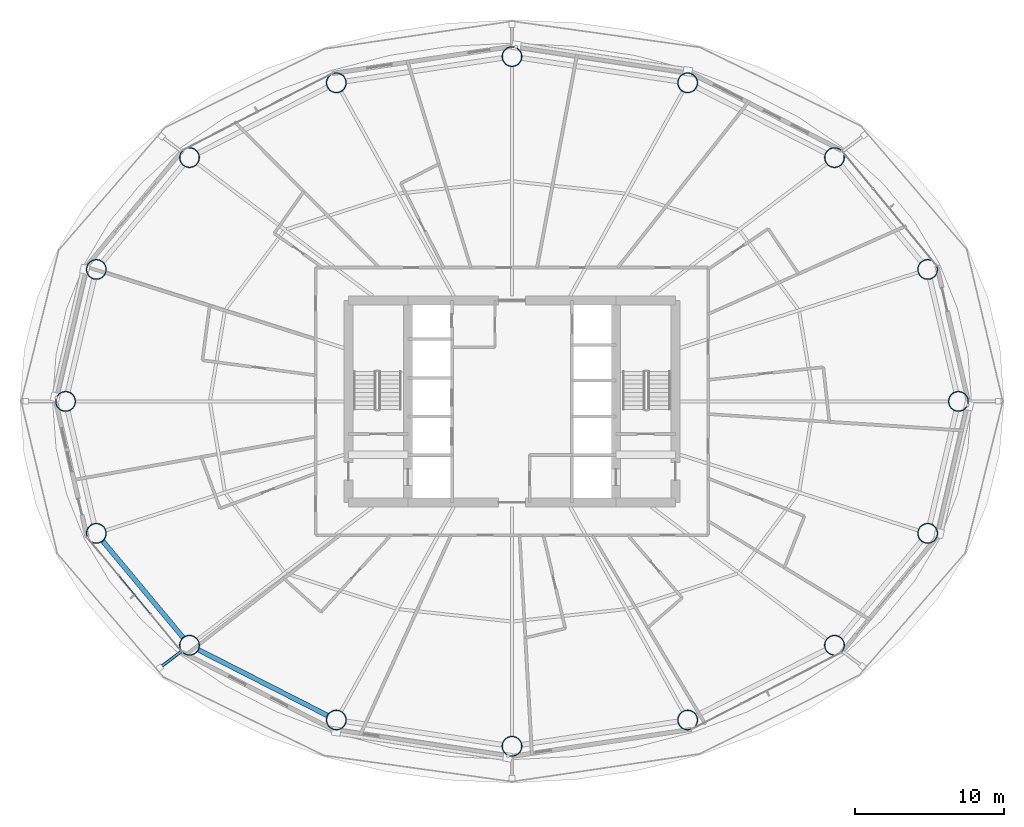
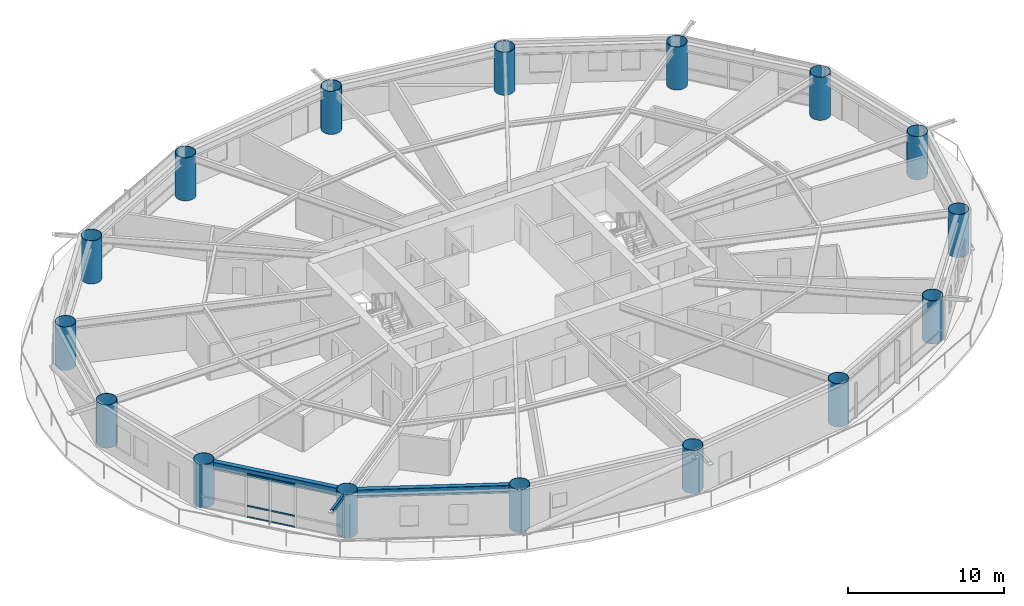
# One storey, part 1 of 26: 16 columns, 4 members, 2 beams, 1 element without a shape of its own.
"""IFC4 building model written with IfcOpenShell, lengths in metres."""

from ifc_helpers import new_model, si_unit, direction, frame, origin, origin_2d, place, context, subcontext, project, spatial, hollow_rectangle, hollow_circle, i_section, extrude, material, layer, layer_set, material_profile, profile_set, type_object, element, aggregate, save


model = new_model("IFC4")

# Units and contexts
model_context = context("Model", 3, precision=1e-05, world=origin(), true_north=direction((0.0, 1.0)))
body_context = subcontext(model_context, "Body", "Model", "MODEL_VIEW")
ifc_project = project(units=[si_unit("LENGTHUNIT", "METRE"), si_unit("AREAUNIT", "SQUARE_METRE"), si_unit("VOLUMEUNIT", "CUBIC_METRE"), si_unit("PLANEANGLEUNIT", "RADIAN"), si_unit("MASSUNIT", "GRAM", prefix="KILO")], contexts=[model_context])

# Site, building, storey
site_placement = place(None, origin())
site = spatial("IfcSite", under=ifc_project, at=site_placement, CompositionType="ELEMENT")
building_placement = place(site_placement, origin())
building = spatial("IfcBuilding", under=site, at=building_placement, Name="Sarneth Arch Tower", CompositionType="ELEMENT")
storey_placement = place(building_placement, frame((0.0, 0.0, 53.39990234375)))
storey = spatial("IfcBuildingStorey", under=building, at=storey_placement, Name="L12", CompositionType="ELEMENT", Elevation=53.39990234375)

# Columns
ifc_material_1 = material(Name="Steel S355", Category="steel")
ifc_material_profile_1 = material_profile(ifc_material_1, hollow_circle(Radius=0.675048828125, WallThickness=0.035888671875, at=origin_2d()), Name="CHS1350x36")
ifc_profile_set_1 = profile_set([ifc_material_profile_1], Name="Steel S355")
column_type = type_object("IfcColumnType", Name="COL-MEGA-1350", PredefinedType="COLUMN", material=ifc_profile_set_1)
for number, where, z_axis, x_axis, name in (
    (1, (78.034912109375, 42.0, 0.0), (0.0, 0.0, 1.0), (1.0, 0.0, 0.0), "L12 Perimeter mega-column M01"),
    (2, (75.965576171875, 50.878173828125, 0.0), (0.0, 0.0, 1.0), (1.0, 0.0, 0.0), "L12 Perimeter mega-column M02"),
    (3, (69.696533203125, 58.40478515625, 0.0), (0.0, 0.0, 1.0), (1.0, 0.0, 0.0), "L12 Perimeter mega-column M03"),
    (4, (59.81787109375, 63.43408203125, 0.0), (0.0, 0.0, 1.0), (1.0, 0.0, 0.0), "L12 Perimeter mega-column M04"),
    (5, (48.0, 65.199951171875, 0.0), (0.0, 0.0, 1.0), (1.0, 0.0, 0.0), "L12 Perimeter mega-column M05"),
    (6, (36.18212890625, 63.43408203125, 0.0), (0.0, 0.0, 1.0), (1.0, 0.0, 0.0), "L12 Perimeter mega-column M06"),
    (7, (26.303466796875, 58.40478515625, 0.0), (0.0, 0.0, 1.0), (1.0, 0.0, 0.0), "L12 Perimeter mega-column M07"),
    (8, (20.034423828125, 50.878173828125, 0.0), (0.0, 0.0, 1.0), (1.0, 0.0, 0.0), "L12 Perimeter mega-column M08"),
    (9, (17.965087890625, 42.0, 0.0), (0.0, 0.0, 1.0), (1.0, 0.0, 0.0), "L12 Perimeter mega-column M09"),
    (10, (20.034423828125, 33.121826171875, 0.0), (0.0, 0.0, 1.0), (1.0, 0.0, 0.0), "L12 Perimeter mega-column M10"),
    (11, (26.303466796875, 25.59521484375, 0.0), (0.0, 0.0, 1.0), (1.0, 0.0, 0.0), "L12 Perimeter mega-column M11"),
    (12, (36.18212890625, 20.56591796875, 0.0), (0.0, 0.0, 1.0), (1.0, 0.0, 0.0), "L12 Perimeter mega-column M12"),
    (13, (48.0, 18.800048828125, 0.0), (0.0, 0.0, 1.0), (1.0, 0.0, 0.0), "L12 Perimeter mega-column M13"),
    (14, (59.81787109375, 20.56591796875, 0.0), (0.0, 0.0, 1.0), (1.0, 0.0, 0.0), "L12 Perimeter mega-column M14"),
    (15, (69.696533203125, 25.59521484375, 0.0), (0.0, 0.0, 1.0), (1.0, 0.0, 0.0), "L12 Perimeter mega-column M15"),
    (16, (75.965576171875, 33.121826171875, 0.0), (0.0, 0.0, 1.0), (1.0, 0.0, 0.0), "L12 Perimeter mega-column M16"),
):
    element("IfcColumn", number, at=place(storey_placement, frame(where, z_axis=z_axis, x_axis=x_axis)), inside=storey, type_object=column_type, Name=name, PredefinedType="COLUMN", context=body_context, shape_type="SweptSolid", body=[
        extrude(hollow_circle(Radius=0.675048828125, WallThickness=0.035888671875, at=origin_2d()), origin(), (0.0, 0.0, 1.0), 3.380126953125),
    ])

# Beams
ifc_material_2 = material(Name="Steel S355", Category="steel")
ifc_material_profile_2 = material_profile(ifc_material_2, i_section(OverallWidth=0.326904296875, OverallDepth=0.6220703125, WebThickness=0.015380859375, FlangeThickness=0.0244140625, FilletRadius=0.01904296875, at=origin_2d()), Name="W610x195")
ifc_profile_set_2 = profile_set([ifc_material_profile_2], Name="Steel S355")
beam_type = type_object("IfcBeamType", Name="BM-SPAN-610A", PredefinedType="SPANDREL", material=ifc_profile_set_2)
beam_1_placement = place(storey_placement, frame((20.466552734375, 32.60302734375, 3.069091796875), z_axis=(0.639979646835, -0.768391860731, 0.0), x_axis=(0.768391860731, 0.639979646835, 0.0)))
element("IfcBeam", 17, at=beam_1_placement, inside=storey, type_object=beam_type, Name="L12 Perimeter spandrel beam 10", PredefinedType="SPANDREL", context=body_context, shape_type="SweptSolid", body=[
    extrude(i_section(OverallWidth=0.326904296875, OverallDepth=0.6220703125, WebThickness=0.015380859375, FlangeThickness=0.0244140625, FilletRadius=0.01904296875, at=origin_2d()), origin(), (0.0, 0.0, 1.0), 8.4453125),
])
beam_2_placement = place(storey_placement, frame((26.90478515625, 25.288818359375, 3.069091796875), z_axis=(0.8911738076, -0.453662037919, 0.0), x_axis=(0.453662037919, 0.8911738076, 0.0)))
element("IfcBeam", 18, at=beam_2_placement, inside=storey, type_object=beam_type, Name="L12 Perimeter spandrel beam 11", PredefinedType="SPANDREL", context=body_context, shape_type="SweptSolid", body=[
    extrude(i_section(OverallWidth=0.326904296875, OverallDepth=0.6220703125, WebThickness=0.015380859375, FlangeThickness=0.0244140625, FilletRadius=0.01904296875, at=origin_2d()), origin(), (0.0, 0.0, 1.0), 9.735107421875),
])

# Curtain wall, members
ifc_material_3 = material(Name="Anodised aluminium Type AA25 and solar-control low-e laminated IGU", Category="aluminium")
ifc_layer = layer(ifc_material_3, 0.159912109375)
ifc_layer_set = layer_set([ifc_layer], Name="Anodised aluminium Type AA25 and solar-control low-e laminated IGU")
curtain_wall_type = type_object("IfcCurtainWallType", Name="CW-HOTEL-LOW", PredefinedType="NOTDEFINED", material=ifc_layer_set)
curtain_wall_placement = place(storey_placement, origin())
curtain_wall = element("IfcCurtainWall", 19, at=curtain_wall_placement, inside=storey, type_object=curtain_wall_type, Name="L12 Unitised curtain wall facet 10", PredefinedType="NOTDEFINED")
ifc_material_4 = material(Name="Anodised Aluminium 6063-T6", Category="aluminium")
ifc_material_profile_3 = material_profile(ifc_material_4, hollow_rectangle(XDim=0.06005859375, YDim=0.1201171875, WallThickness=0.00390625, at=origin_2d()), Name="AL-TRAN-120x60x4")
ifc_profile_set_3 = profile_set([ifc_material_profile_3], Name="Anodised Aluminium 6063-T6")
member_type_1 = type_object("IfcMemberType", Name="CW-TRANSOM", PredefinedType="USERDEFINED", material=ifc_profile_set_3)
member_1_placement = place(storey_placement, frame((21.57373046875, 30.256103515625, 0.030029296875), z_axis=(0.637268595771, -0.770641769465, 0.0), x_axis=(0.770641769465, 0.637268595771, 0.0)))
member_1 = element("IfcMember", 20, at=member_1_placement, type_object=member_type_1, Name="CW-SYS-3 transom 2.1", ObjectType="TRANSOM", PredefinedType="USERDEFINED", context=body_context, shape_type="SweptSolid", body=[
    extrude(hollow_rectangle(XDim=0.06005859375, YDim=0.1201171875, WallThickness=0.00390625, at=origin_2d()), origin(), (0.0, 0.0, 1.0), 3.291259765625),
])
member_2_placement = place(storey_placement, frame((21.57373046875, 30.256103515625, 0.900146484375), z_axis=(0.637268595771, -0.770641769465, 0.0), x_axis=(0.770641769465, 0.637268595771, 0.0)))
member_2 = element("IfcMember", 21, at=member_2_placement, type_object=member_type_1, Name="CW-SYS-3 transom 2.2", ObjectType="TRANSOM", PredefinedType="USERDEFINED", context=body_context, shape_type="SweptSolid", body=[
    extrude(hollow_rectangle(XDim=0.06005859375, YDim=0.1201171875, WallThickness=0.00390625, at=origin_2d()), origin(), (0.0, 0.0, 1.0), 3.291259765625),
])
member_3_placement = place(storey_placement, frame((21.57373046875, 30.256103515625, 3.35009765625), z_axis=(0.637268595771, -0.770641769465, 0.0), x_axis=(0.770641769465, 0.637268595771, 0.0)))
member_3 = element("IfcMember", 22, at=member_3_placement, type_object=member_type_1, Name="CW-SYS-3 transom 2.3", ObjectType="TRANSOM", PredefinedType="USERDEFINED", context=body_context, shape_type="SweptSolid", body=[
    extrude(hollow_rectangle(XDim=0.06005859375, YDim=0.1201171875, WallThickness=0.00390625, at=origin_2d()), origin(), (0.0, 0.0, 1.0), 3.291259765625),
])
aggregate(curtain_wall, [member_1, member_2, member_3])

# Member
ifc_material_5 = material(Name="Steel S355", Category="steel")
ifc_material_profile_4 = material_profile(ifc_material_5, hollow_rectangle(XDim=0.199951171875, YDim=0.300048828125, WallThickness=0.012451171875, InnerFilletRadius=0.018798828125, OuterFilletRadius=0.03125, at=origin_2d()), Name="RHS300x200x12.5")
ifc_profile_set_4 = profile_set([ifc_material_profile_4], Name="Steel S355")
member_type_2 = type_object("IfcMemberType", Name="MEM-CANT-STRUT", PredefinedType="STRUT", material=ifc_profile_set_4)
member_4_placement = place(storey_placement, frame((25.764892578125, 25.18798828125, 3.22021484375), z_axis=(-0.797667176525, -0.603097898764, 0.0), x_axis=(0.603097898764, -0.797667176525, 0.0)))
element("IfcMember", 23, at=member_4_placement, inside=storey, type_object=member_type_2, Name="L12 Balcony cantilever bracket 11", PredefinedType="STRUT", context=body_context, shape_type="SweptSolid", body=[
    extrude(hollow_rectangle(XDim=0.199951171875, YDim=0.300048828125, WallThickness=0.012451171875, InnerFilletRadius=0.018798828125, OuterFilletRadius=0.03125, at=origin_2d()), origin(), (0.0, 0.0, 1.0), 1.82568359375),
])

save(model, "model.ifc")
